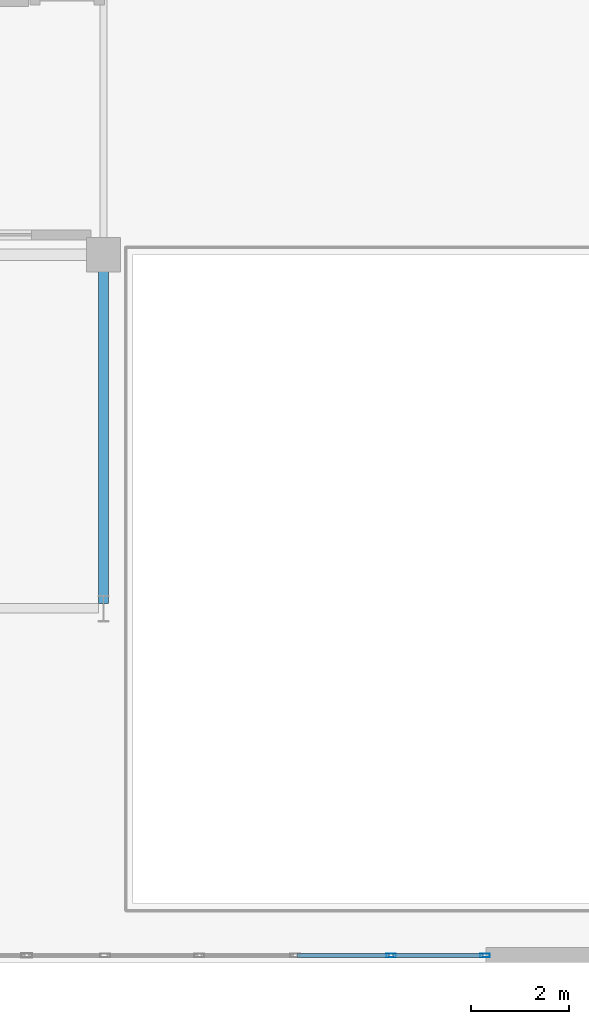
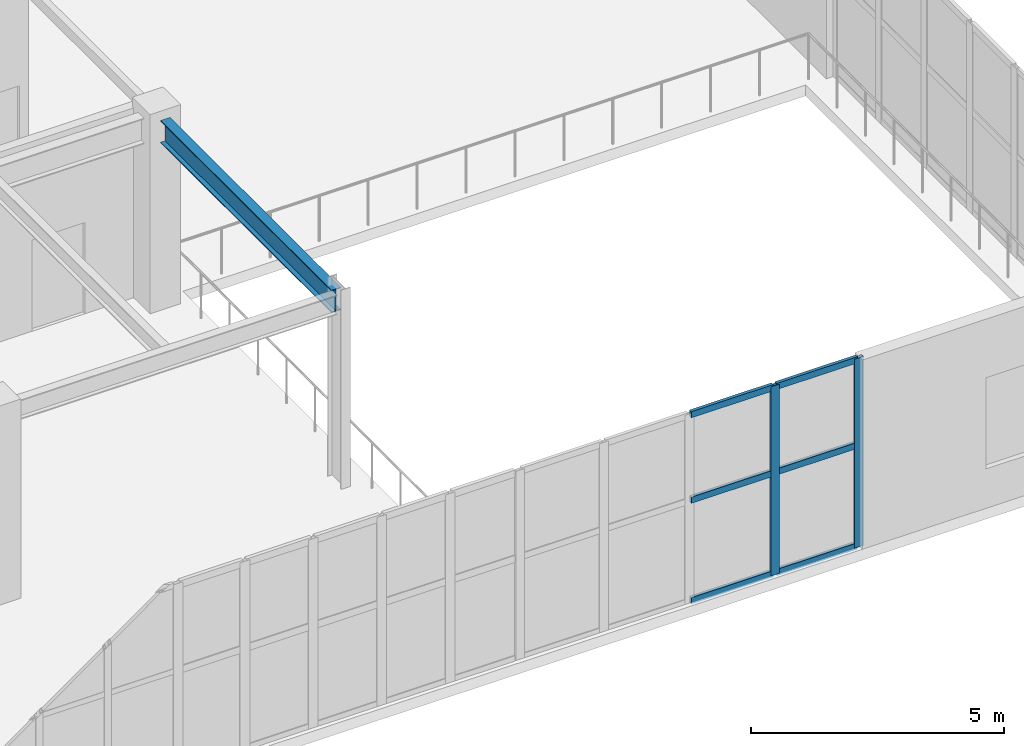
# One storey, part 34 of 72: 8 members, 1 beam, 1 element without a shape of its own.
"""IFC4 building model written with IfcOpenShell, lengths in metres."""

from ifc_helpers import new_model, si_unit, direction, frame, origin, origin_2d, place, context, subcontext, project, spatial, hollow_rectangle, i_section, extrude, material, layer, layer_set, material_profile, profile_set, type_object, element, aggregate, save


model = new_model("IFC4")

# Units and contexts
model_context = context("Model", 3, precision=1e-05, world=origin(), true_north=direction((0.0, 1.0)))
body_context = subcontext(model_context, "Body", "Model", "MODEL_VIEW")
ifc_project = project(units=[si_unit("LENGTHUNIT", "METRE"), si_unit("AREAUNIT", "SQUARE_METRE"), si_unit("VOLUMEUNIT", "CUBIC_METRE"), si_unit("PLANEANGLEUNIT", "RADIAN"), si_unit("MASSUNIT", "GRAM", prefix="KILO")], contexts=[model_context])

# Site, building, storey
site_placement = place(None, origin())
site = spatial("IfcSite", under=ifc_project, at=site_placement, CompositionType="ELEMENT")
building_placement = place(site_placement, origin())
building = spatial("IfcBuilding", under=site, at=building_placement, Name="Xicomal Pleat Aquarium", CompositionType="ELEMENT")
storey_placement = place(building_placement, frame((0.0, 0.0, 10.5)))
storey = spatial("IfcBuildingStorey", under=building, at=storey_placement, Name="L03", CompositionType="ELEMENT", Elevation=10.5)

# Beam
ifc_material_1 = material(Name="Structural steel A992 Gr 50", Category="steel")
ifc_material_profile_1 = material_profile(ifc_material_1, i_section(OverallWidth=0.2119140625, OverallDepth=0.5439453125, WebThickness=0.01318359375, FlangeThickness=0.021240234375, at=origin_2d()), Name="IR 530x123")
ifc_profile_set_1 = profile_set([ifc_material_profile_1], Name="Structural steel A992 Gr 50")
beam_type = type_object("IfcBeamType", Name="BM-STL-IR530", PredefinedType="BEAM", material=ifc_profile_set_1)
beam_placement = place(storey_placement, frame((149.39990234375, 8.10107421875, 4.302978515625), z_axis=(0.0, 1.0, 0.0), x_axis=(-1.0, 0.0, 0.0)))
element("IfcBeam", 1, at=beam_placement, inside=storey, type_object=beam_type, Name="L03 framing beam FGY-L03-19-B-C", PredefinedType="BEAM", context=body_context, shape_type="SweptSolid", body=[
    extrude(i_section(OverallWidth=0.2119140625, OverallDepth=0.5439453125, WebThickness=0.01318359375, FlangeThickness=0.021240234375, at=origin_2d()), origin(), (0.0, 0.0, 1.0), 6.75390625),
])

# Curtain wall, members
ifc_material_2 = material(Name="Bronze anodized aluminium 6063-T6", Category="aluminium")
ifc_layer = layer(ifc_material_2, 0.159912109375)
ifc_layer_set = layer_set([ifc_layer], Name="Bronze anodized aluminium 6063-T6")
curtain_wall_type = type_object("IfcCurtainWallType", Name="CW-SYS-08", PredefinedType="NOTDEFINED", material=ifc_layer_set)
curtain_wall_placement = place(storey_placement, origin())
curtain_wall = element("IfcCurtainWall", 2, at=curtain_wall_placement, inside=storey, type_object=curtain_wall_type, Name="L03 unitised curtain wall CW-L03-145", PredefinedType="NOTDEFINED")
ifc_material_3 = material(Name="Bronze anodized aluminium 6063-T6", Category="aluminium")
ifc_material_profile_2 = material_profile(ifc_material_3, hollow_rectangle(XDim=0.074951171875, YDim=0.199951171875, WallThickness=0.00439453125, at=origin_2d()), Name="ALU MULL 75x200")
ifc_profile_set_2 = profile_set([ifc_material_profile_2], Name="Bronze anodized aluminium 6063-T6")
member_type_1 = type_object("IfcMemberType", Name="CWM-75x200", PredefinedType="MULLION", material=ifc_profile_set_2)
member_1_placement = place(storey_placement, frame((157.16259765625, 0.93994140625, 0.0), z_axis=(0.0, 0.0, 1.0), x_axis=(0.0, -1.0, 0.0)))
member_1 = element("IfcMember", 3, at=member_1_placement, type_object=member_type_1, Name="CW-08 mullion 1", PredefinedType="MULLION", context=body_context, shape_type="SweptSolid", body=[
    extrude(hollow_rectangle(XDim=0.074951171875, YDim=0.199951171875, WallThickness=0.00439453125, at=origin_2d()), origin(), (0.0, 0.0, 1.0), 4.56005859375),
])
member_2_placement = place(storey_placement, frame((155.25, 0.93994140625, 0.0), z_axis=(0.0, 0.0, 1.0), x_axis=(0.0, -1.0, 0.0)))
member_2 = element("IfcMember", 4, at=member_2_placement, type_object=member_type_1, Name="CW-08 mullion 2", PredefinedType="MULLION", context=body_context, shape_type="SweptSolid", body=[
    extrude(hollow_rectangle(XDim=0.074951171875, YDim=0.199951171875, WallThickness=0.00439453125, at=origin_2d()), origin(), (0.0, 0.0, 1.0), 4.56005859375),
])
ifc_material_4 = material(Name="Bronze anodized aluminium 6063-T6", Category="aluminium")
ifc_material_profile_3 = material_profile(ifc_material_4, hollow_rectangle(XDim=0.074951171875, YDim=0.14990234375, WallThickness=0.00439453125, at=origin_2d()), Name="ALU TRAN 75x150")
ifc_profile_set_3 = profile_set([ifc_material_profile_3], Name="Bronze anodized aluminium 6063-T6")
member_type_2 = type_object("IfcMemberType", Name="CWT-75x150", PredefinedType="USERDEFINED", material=ifc_profile_set_3)
member_3_placement = place(storey_placement, frame((157.125, 0.93994140625, 0.03759765625), z_axis=(-1.0, 0.0, 0.0), x_axis=(0.0, -1.0, 0.0)))
member_3 = element("IfcMember", 5, at=member_3_placement, type_object=member_type_2, Name="CW-08 transom 1.1", ObjectType="TRANSOM", PredefinedType="USERDEFINED", context=body_context, shape_type="SweptSolid", body=[
    extrude(hollow_rectangle(XDim=0.074951171875, YDim=0.14990234375, WallThickness=0.00439453125, at=origin_2d()), origin(), (0.0, 0.0, 1.0), 1.83740234375),
])
member_4_placement = place(storey_placement, frame((157.125, 0.93994140625, 2.4619140625), z_axis=(-1.0, 0.0, 0.0), x_axis=(0.0, -1.0, 0.0)))
member_4 = element("IfcMember", 6, at=member_4_placement, type_object=member_type_2, Name="CW-08 transom 1.2", ObjectType="TRANSOM", PredefinedType="USERDEFINED", context=body_context, shape_type="SweptSolid", body=[
    extrude(hollow_rectangle(XDim=0.074951171875, YDim=0.14990234375, WallThickness=0.00439453125, at=origin_2d()), origin(), (0.0, 0.0, 1.0), 1.83740234375),
])
member_5_placement = place(storey_placement, frame((157.125, 0.93994140625, 4.5224609375), z_axis=(-1.0, 0.0, 0.0), x_axis=(0.0, -1.0, 0.0)))
member_5 = element("IfcMember", 7, at=member_5_placement, type_object=member_type_2, Name="CW-08 transom 1.3", ObjectType="TRANSOM", PredefinedType="USERDEFINED", context=body_context, shape_type="SweptSolid", body=[
    extrude(hollow_rectangle(XDim=0.074951171875, YDim=0.14990234375, WallThickness=0.00439453125, at=origin_2d()), origin(), (0.0, 0.0, 1.0), 1.83740234375),
])
member_6_placement = place(storey_placement, frame((155.21240234375, 0.93994140625, 0.03759765625), z_axis=(-1.0, 0.0, 0.0), x_axis=(0.0, -1.0, 0.0)))
member_6 = element("IfcMember", 8, at=member_6_placement, type_object=member_type_2, Name="CW-08 transom 2.1", ObjectType="TRANSOM", PredefinedType="USERDEFINED", context=body_context, shape_type="SweptSolid", body=[
    extrude(hollow_rectangle(XDim=0.074951171875, YDim=0.14990234375, WallThickness=0.00439453125, at=origin_2d()), origin(), (0.0, 0.0, 1.0), 1.875),
])
member_7_placement = place(storey_placement, frame((155.21240234375, 0.93994140625, 2.4619140625), z_axis=(-1.0, 0.0, 0.0), x_axis=(0.0, -1.0, 0.0)))
member_7 = element("IfcMember", 9, at=member_7_placement, type_object=member_type_2, Name="CW-08 transom 2.2", ObjectType="TRANSOM", PredefinedType="USERDEFINED", context=body_context, shape_type="SweptSolid", body=[
    extrude(hollow_rectangle(XDim=0.074951171875, YDim=0.14990234375, WallThickness=0.00439453125, at=origin_2d()), origin(), (0.0, 0.0, 1.0), 1.875),
])
member_8_placement = place(storey_placement, frame((155.21240234375, 0.93994140625, 4.5224609375), z_axis=(-1.0, 0.0, 0.0), x_axis=(0.0, -1.0, 0.0)))
member_8 = element("IfcMember", 10, at=member_8_placement, type_object=member_type_2, Name="CW-08 transom 2.3", ObjectType="TRANSOM", PredefinedType="USERDEFINED", context=body_context, shape_type="SweptSolid", body=[
    extrude(hollow_rectangle(XDim=0.074951171875, YDim=0.14990234375, WallThickness=0.00439453125, at=origin_2d()), origin(), (0.0, 0.0, 1.0), 1.875),
])
aggregate(curtain_wall, [member_1, member_2, member_3, member_4, member_5, member_6, member_7, member_8])

save(model, "model.ifc")
